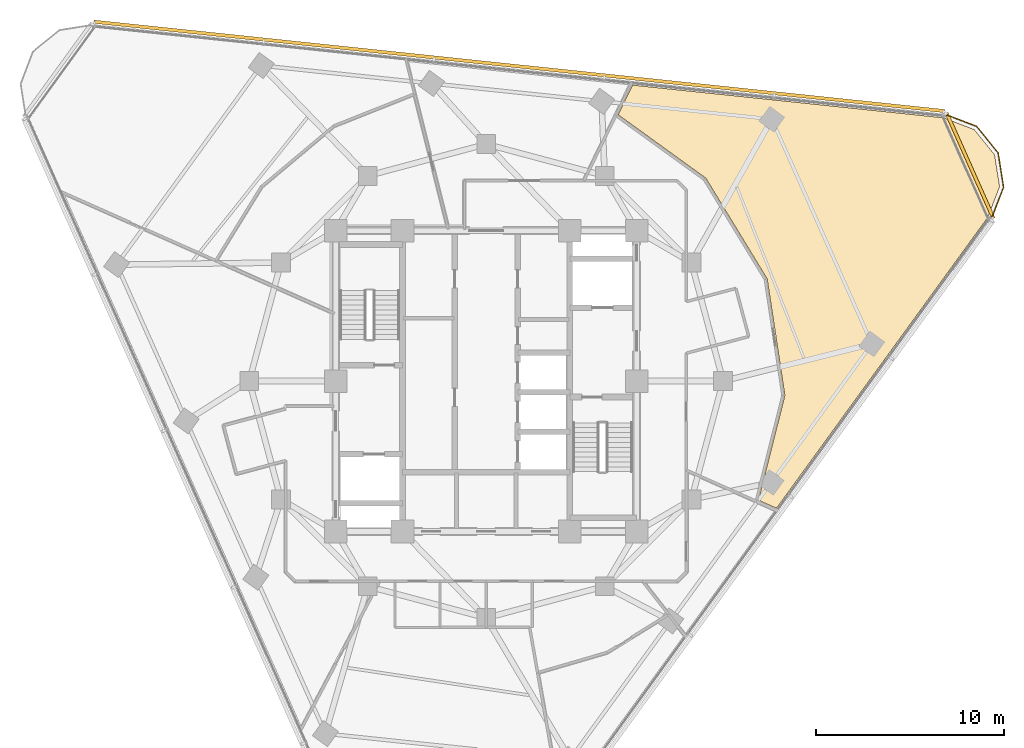
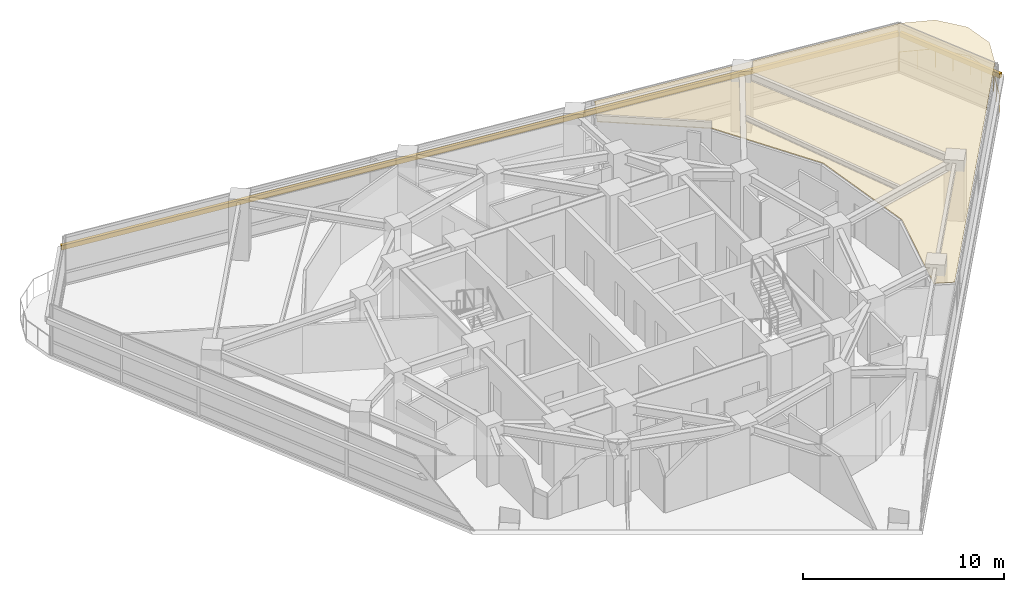
# One storey, part 15 of 15: 2 shading devices, 1 covering, 1 railing.
"""IFC4 building model written with IfcOpenShell, lengths in metres."""

from ifc_helpers import new_model, si_unit, direction, frame, origin, origin_2d, place, context, subcontext, project, spatial, polyline, rectangle, circle, outline, extrude, material, layer, layer_set, type_object, element, save


model = new_model("IFC4")

# Units and contexts
model_context = context("Model", 3, precision=1e-05, world=origin(), true_north=direction((0.0, 1.0)))
body_context = subcontext(model_context, "Body", "Model", "MODEL_VIEW")
ifc_project = project(units=[si_unit("LENGTHUNIT", "METRE"), si_unit("AREAUNIT", "SQUARE_METRE"), si_unit("VOLUMEUNIT", "CUBIC_METRE"), si_unit("PLANEANGLEUNIT", "RADIAN"), si_unit("MASSUNIT", "GRAM", prefix="KILO")], contexts=[model_context])

# Site, building, storey
site_placement = place(None, origin())
site = spatial("IfcSite", under=ifc_project, at=site_placement, CompositionType="ELEMENT")
building_placement = place(site_placement, origin())
building = spatial("IfcBuilding", under=site, at=building_placement, Name="Terralouvre Media Tower", CompositionType="ELEMENT")
storey_placement = place(building_placement, frame((0.0, 0.0, 233.699951171875)))
storey = spatial("IfcBuildingStorey", under=building, at=storey_placement, Name="L60", CompositionType="ELEMENT", Elevation=233.699951171875)

# Covering
ifc_material_1 = material(Name="Perforated aluminium acoustic ceiling baffle", Category="aluminium")
ifc_layer_1 = layer(ifc_material_1, 0.0400390625, Name="Perforated Acoustic Metal Tile Ceiling CL-AC1")
ifc_layer_set_1 = layer_set([ifc_layer_1], Name="Perforated aluminium acoustic ceiling baffle")
covering_type = type_object("IfcCoveringType", Name="Perforated Acoustic Metal Tile Ceiling CL-AC1", PredefinedType="CEILING", material=ifc_layer_set_1)
covering_placement = place(storey_placement, frame((0.0, 0.0, 2.97998046875), z_axis=(0.0, 0.0, 1.0), x_axis=(0.587785252292, 0.809016994375, 0.0)))
element("IfcCovering", 1, at=covering_placement, inside=storey, type_object=covering_type, Name="L60 Source Briefing Interview Room 7 Acoustic Ceiling", PredefinedType="CEILING", context=body_context, shape_type="SweptSolid", body=[
    extrude(outline(polyline([(15.59619140625, -3.08203125), (15.595703125, -3.091796875), (15.59423828125, -3.101806640625), (15.591796875, -3.111328125), (15.588623046875, -3.12060546875), (13.191162109375, -8.87353515625), (13.186767578125, -8.882568359375), (13.181640625, -8.89111328125), (13.17578125, -8.89892578125), (13.1689453125, -8.90625), (8.7333984375, -13.28466796875), (8.72607421875, -13.291259765625), (8.718017578125, -13.297119140625), (8.70947265625, -13.302001953125), (8.700439453125, -13.30615234375), (3.384033203125, -15.440185546875), (3.60205078125, -16.46484375), (22.72119140625, -16.464599609375), (24.4111328125, -16.011474609375), (25.627197265625, -14.7958984375), (26.072021484375, -13.134765625), (25.61962890625, -11.4443359375), (17.308837890625, 2.9501953125), (15.58349609375, 2.646240234375), (15.59619140625, -3.08203125)])), origin(), (0.0, 0.0, 1.0), 0.0400390625),
])

# Railing
ifc_material_2 = material(Name="Stainless steel 316 handrail and balustrade", Category="steel")
ifc_layer_2 = layer(ifc_material_2, 0.06005859375, Name="Roof Edge Safety Guardrail GR-ROOF1")
ifc_layer_set_2 = layer_set([ifc_layer_2], Name="Stainless steel 316 handrail and balustrade")
railing_type = type_object("IfcRailingType", Name="Roof Edge Safety Guardrail GR-ROOF1", PredefinedType="GUARDRAIL", material=ifc_layer_set_2)
railing_placement = place(storey_placement, frame((26.85595703125, 8.593505859375, 0.0)))
element("IfcRailing", 2, at=railing_placement, inside=storey, type_object=railing_type, Name="L60 Wind-Corner Perimeter Safety Guardrail C1", PredefinedType="GUARDRAIL", context=body_context, shape_type="SweptSolid", body=[
    extrude(circle(Radius=0.02099609375, at=origin_2d()), frame((0.0, 0.0, 1.12890625), z_axis=(0.358685184164, 0.933458589688, 0.0), x_axis=(-0.933458589688, 0.358685184164, 0.0)), (0.0, 0.0, 1.0), 1.837158203125),
    extrude(circle(Radius=0.02099609375, at=origin_2d()), frame((0.658935546875, 1.71484375, 1.12890625), z_axis=(-0.156310663238, 0.987707940921, 0.0), x_axis=(-0.987707940921, -0.156310663238, 0.0)), (0.0, 0.0, 1.0), 1.836669921875),
    extrude(circle(Radius=0.02099609375, at=origin_2d()), frame((0.371826171875, 3.529052734375, 1.12890625), z_axis=(-0.629481130122, 0.777015769995, 0.0), x_axis=(-0.777015769995, -0.629481130122, 0.0)), (0.0, 0.0, 1.0), 1.8369140625),
    extrude(circle(Radius=0.02099609375, at=origin_2d()), frame((-0.784423828125, 4.956298828125, 1.12890625), z_axis=(-0.933653545479, 0.358177409974, 0.0), x_axis=(-0.358177409974, -0.933653545479, 0.0)), (0.0, 0.0, 1.0), 1.8369140625),
    extrude(circle(Radius=0.01904296875, at=origin_2d()), origin(), (0.0, 0.0, 1.0), 1.10791015625),
    extrude(circle(Radius=0.01904296875, at=origin_2d()), frame((0.32958984375, 0.857421875, 0.0)), (0.0, 0.0, 1.0), 1.10791015625),
    extrude(circle(Radius=0.01904296875, at=origin_2d()), frame((0.658935546875, 1.71484375, 0.0)), (0.0, 0.0, 1.0), 1.10791015625),
    extrude(circle(Radius=0.01904296875, at=origin_2d()), frame((0.515380859375, 2.6220703125, 0.0)), (0.0, 0.0, 1.0), 1.10791015625),
    extrude(circle(Radius=0.01904296875, at=origin_2d()), frame((0.371826171875, 3.529052734375, 0.0)), (0.0, 0.0, 1.0), 1.10791015625),
    extrude(circle(Radius=0.01904296875, at=origin_2d()), frame((-0.206298828125, 4.24267578125, 0.0)), (0.0, 0.0, 1.0), 1.10791015625),
    extrude(circle(Radius=0.01904296875, at=origin_2d()), frame((-0.784423828125, 4.956298828125, 0.0)), (0.0, 0.0, 1.0), 1.10791015625),
    extrude(circle(Radius=0.01904296875, at=origin_2d()), frame((-1.64208984375, 5.28515625, 0.0)), (0.0, 0.0, 1.0), 1.10791015625),
    extrude(circle(Radius=0.01904296875, at=origin_2d()), frame((-2.49951171875, 5.6142578125, 0.0)), (0.0, 0.0, 1.0), 1.10791015625),
])

# Shading devices
ifc_material_3 = material(Name="Extruded terracotta baguette sunshade louvres", Category="masonry")
shading_device_type = type_object("IfcShadingDeviceType", Name="Terracotta Baguette Sunshade Louvre Screen TB-LV1", PredefinedType="USERDEFINED", material=ifc_material_3)
shading_device_1_placement = place(storey_placement, frame((1.758544921875, 16.732666015625, 2.02392578125), z_axis=(0.0, 0.0, 1.0), x_axis=(-0.994521885028, 0.104528561651, 0.0)))
element("IfcShadingDevice", 3, at=shading_device_1_placement, inside=storey, type_object=shading_device_type, Name="CW-L60-F1 Terracotta Baguette Sunshade Louvre", ObjectType="BAGUETTE", PredefinedType="USERDEFINED", context=body_context, shape_type="SweptSolid", body=[
    extrude(rectangle(XDim=45.5, YDim=0.179931640625, at=origin_2d()), origin(), (0.0, 0.0, 1.0), 0.280029296875),
])
shading_device_2_placement = place(storey_placement, frame((25.7294921875, 11.45556640625, 2.02392578125), z_axis=(0.0, 0.0, 1.0), x_axis=(-0.406737441315, 0.913545102243, 0.0)))
element("IfcShadingDevice", 4, at=shading_device_2_placement, inside=storey, type_object=shading_device_type, Name="CW-L60-C1 Terracotta Baguette Sunshade Louvre", ObjectType="BAGUETTE", PredefinedType="USERDEFINED", context=body_context, shape_type="SweptSolid", body=[
    extrude(rectangle(XDim=6.148681640625, YDim=0.179931640625, at=origin_2d()), origin(), (0.0, 0.0, 1.0), 0.280029296875),
])

save(model, "model.ifc")
